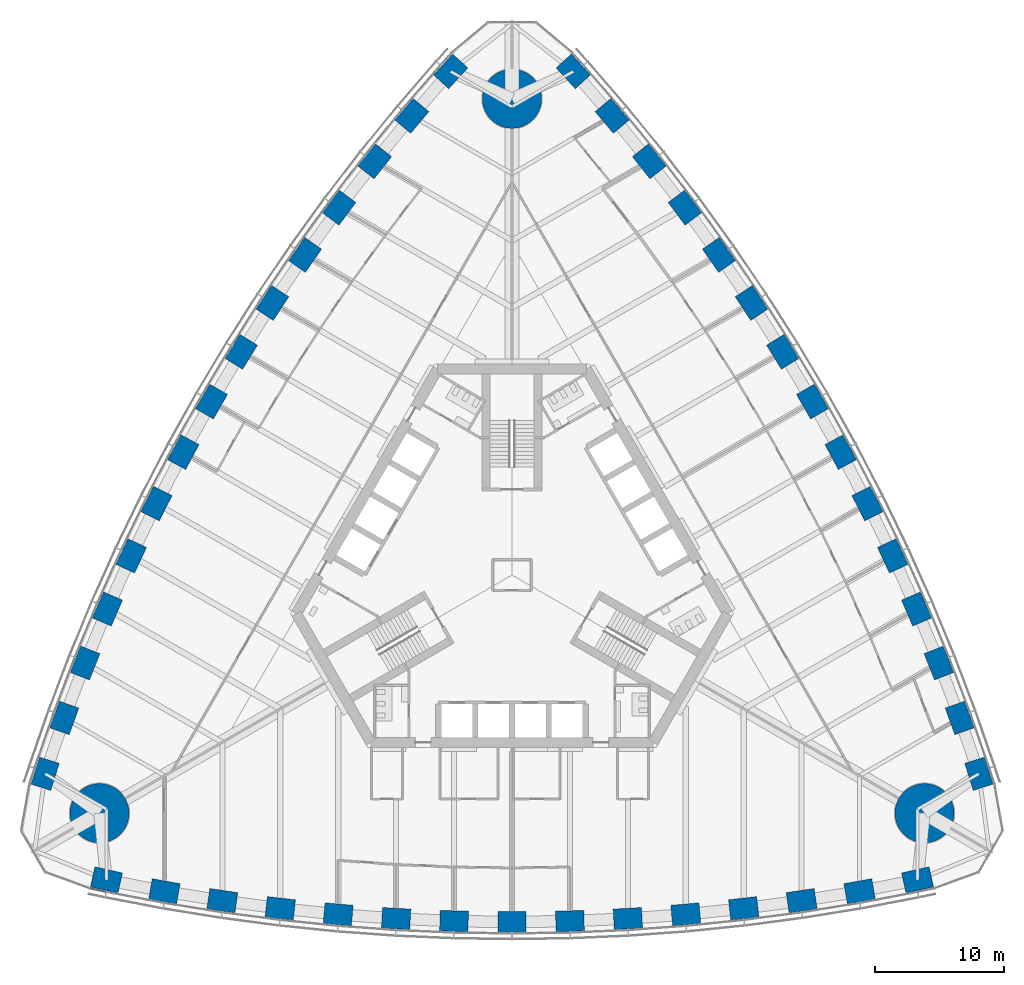
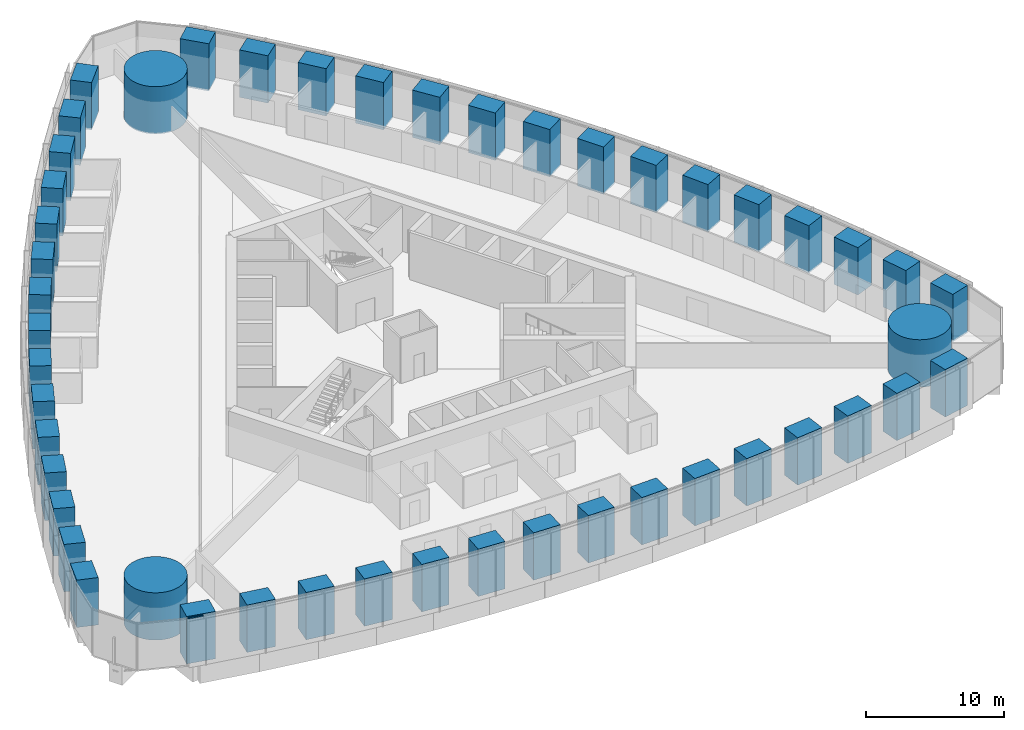
# One storey, part 1 of 18: 48 columns, 1 member, 1 element without a shape of its own.
"""IFC4 building model written with IfcOpenShell, lengths in metres."""

from ifc_helpers import new_model, si_unit, direction, frame, origin, origin_2d, place, context, subcontext, project, spatial, rectangle, circle, extrude, material, material_profile, profile_set, type_object, element, aggregate, save


model = new_model("IFC4")

# Units and contexts
model_context = context("Model", 3, precision=1e-05, world=origin(), true_north=direction((0.0, 1.0)))
body_context = subcontext(model_context, "Body", "Model", "MODEL_VIEW")
ifc_project = project(units=[si_unit("LENGTHUNIT", "METRE"), si_unit("AREAUNIT", "SQUARE_METRE"), si_unit("VOLUMEUNIT", "CUBIC_METRE"), si_unit("PLANEANGLEUNIT", "RADIAN"), si_unit("MASSUNIT", "GRAM", prefix="KILO")], contexts=[model_context])

# Site, building, storey
site_placement = place(None, origin())
site = spatial("IfcSite", under=ifc_project, at=site_placement, CompositionType="ELEMENT")
building_placement = place(site_placement, origin())
building = spatial("IfcBuilding", under=site, at=building_placement, Name="Trefoil Bronze Tower", CompositionType="ELEMENT")
storey_placement = place(building_placement, frame((0.0, 0.0, 75.300048828125)))
storey = spatial("IfcBuildingStorey", under=building, at=storey_placement, Name="L17", CompositionType="ELEMENT", Elevation=75.300048828125)

# Columns
ifc_material_1 = material(Name="Concrete B80", Category="concrete")
ifc_material_profile_1 = material_profile(ifc_material_1, circle(Radius=2.300048828125, at=origin_2d()), Name="RC D4600")
ifc_profile_set_1 = profile_set([ifc_material_profile_1], Name="Concrete B80")
column_type_1 = type_object("IfcColumnType", Name="Mega column RC D4600", PredefinedType="COLUMN", material=ifc_profile_set_1)
for number, where, z_axis, x_axis, name in (
    (1, (32.04296875, -18.5, 0.0), (0.0, 0.0, 1.0), (1.0, 0.0, 0.0), "Mega column K1 L17"),
    (2, (0.0, 37.0, 0.0), (0.0, 0.0, 1.0), (1.0, 0.0, 0.0), "Mega column K2 L17"),
    (3, (-32.04296875, -18.5, 0.0), (0.0, 0.0, 1.0), (1.0, 0.0, 0.0), "Mega column K3 L17"),
):
    element("IfcColumn", number, at=place(storey_placement, frame(where, z_axis=z_axis, x_axis=x_axis)), inside=storey, type_object=column_type_1, Name=name, PredefinedType="COLUMN", context=body_context, shape_type="SweptSolid", body=[
        extrude(circle(Radius=2.300048828125, at=origin_2d()), origin(), (0.0, 0.0, 1.0), 4.199951171875),
    ])
ifc_material_2 = material(Name="Concrete B80", Category="concrete")
ifc_material_profile_2 = material_profile(ifc_material_2, rectangle(XDim=2.199951171875, YDim=1.60009765625, at=origin_2d()), Name="RC 2200x1600")
ifc_profile_set_2 = profile_set([ifc_material_profile_2], Name="Concrete B80")
column_type_2 = type_object("IfcColumnType", Name="Tube column RC 2200x1600", PredefinedType="COLUMN", material=ifc_profile_set_2)
for number, where, z_axis, x_axis, name in (
    (4, (-31.5, -23.684814453125, 0.0), (0.0, 0.0, 1.0), (0.976229647342, -0.216738726697, 0.0), "Tube column F1/-7 L17"),
    (5, (-27.0, -24.56787109375, 0.0), (0.0, 0.0, 1.0), (0.984722470468, -0.174131146426, 0.0), "Tube column F1/-6 L17"),
    (6, (-22.5, -25.29931640625, 0.0), (0.0, 0.0, 1.0), (0.989415676546, -0.145108990094, 0.0), "Tube column F1/-5 L17"),
    (7, (-18.0, -25.895263671875, 0.0), (0.0, 0.0, 1.0), (0.993239048989, -0.116086999973, 0.0), "Tube column F1/-4 L17"),
    (8, (-13.5, -26.35693359375, 0.0), (0.0, 0.0, 1.0), (0.996202620701, -0.087065139456, 0.0), "Tube column F1/-3 L17"),
    (9, (-9.0, -26.68603515625, 0.0), (0.0, 0.0, 1.0), (0.998314062162, -0.058043374207, 0.0), "Tube column F1/-2 L17"),
    (10, (-4.5, -26.883056640625, 0.0), (0.0, 0.0, 1.0), (0.999578782577, -0.029021671584, 0.0), "Tube column F1/-1 L17"),
    (11, (0.0, -26.94873046875, 0.0), (0.0, 0.0, 1.0), (1.0, 0.0, 0.0), "Tube column F1/+0 L17"),
    (12, (4.5, -26.883056640625, 0.0), (0.0, 0.0, 1.0), (0.999578782577, 0.029021671584, 0.0), "Tube column F1/+1 L17"),
    (13, (9.0, -26.68603515625, 0.0), (0.0, 0.0, 1.0), (0.998314062162, 0.058043374207, 0.0), "Tube column F1/+2 L17"),
    (14, (13.5, -26.35693359375, 0.0), (0.0, 0.0, 1.0), (0.996202620701, 0.087065139456, 0.0), "Tube column F1/+3 L17"),
    (15, (18.0, -25.895263671875, 0.0), (0.0, 0.0, 1.0), (0.993239048989, 0.116086999973, 0.0), "Tube column F1/+4 L17"),
    (16, (22.5, -25.29931640625, 0.0), (0.0, 0.0, 1.0), (0.989415676546, 0.145108990094, 0.0), "Tube column F1/+5 L17"),
    (17, (27.0, -24.56787109375, 0.0), (0.0, 0.0, 1.0), (0.984722470468, 0.174131146426, 0.0), "Tube column F1/+6 L17"),
    (18, (31.5, -23.684814453125, 0.0), (0.0, 0.0, 1.0), (0.976229647342, 0.216738726697, 0.0), "Tube column F1/+7 L17"),
    (19, (36.26171875, -15.4375, 0.0), (0.0, 0.0, 1.0), (-0.300413580368, 0.953809037874, 0.0), "Tube column F2/-7 L17"),
    (20, (34.7763671875, -11.0986328125, 0.0), (0.0, 0.0, 1.0), (-0.341559238839, 0.939860248316, 0.0), "Tube column F2/-6 L17"),
    (21, (33.159912109375, -6.8359375, 0.0), (0.0, 0.0, 1.0), (-0.369039766534, 0.929413605838, 0.0), "Tube column F2/-5 L17"),
    (22, (31.42578125, -2.640869140625, 0.0), (0.0, 0.0, 1.0), (-0.396085233469, 0.918213748442, 0.0), "Tube column F2/-4 L17"),
    (23, (29.575927734375, 1.487060546875, 0.0), (0.0, 0.0, 1.0), (-0.422700687798, 0.906269346572, 0.0), "Tube column F2/-3 L17"),
    (24, (27.61083984375, 5.548828125, 0.0), (0.0, 0.0, 1.0), (-0.448889994497, 0.893587025891, 0.0), "Tube column F2/-2 L17"),
    (25, (25.531494140625, 9.54443359375, 0.0), (0.0, 0.0, 1.0), (-0.474655886437, 0.880171454588, 0.0), "Tube column F2/-1 L17"),
    (26, (23.33837890625, 13.474365234375, 0.0), (0.0, 0.0, 1.0), (-0.5, 0.866025403784, 0.0), "Tube column F2/+0 L17"),
    (27, (21.031494140625, 17.338623046875, 0.0), (0.0, 0.0, 1.0), (-0.524922896141, 0.851149783004, 0.0), "Tube column F2/+1 L17"),
    (28, (18.61083984375, 21.13720703125, 0.0), (0.0, 0.0, 1.0), (-0.549424067665, 0.835543651684, 0.0), "Tube column F2/+2 L17"),
    (29, (16.075927734375, 24.869873046875, 0.0), (0.0, 0.0, 1.0), (-0.573501932903, 0.819204207116, 0.0), "Tube column F2/+3 L17"),
    (30, (13.42578125, 28.5361328125, 0.0), (0.0, 0.0, 1.0), (-0.59715381552, 0.802126748469, 0.0), "Tube column F2/+4 L17"),
    (31, (10.659912109375, 32.13525390625, 0.0), (0.0, 0.0, 1.0), (-0.620375910011, 0.784304615744, 0.0), "Tube column F2/+5 L17"),
    (32, (7.7763671875, 35.666748046875, 0.0), (0.0, 0.0, 1.0), (-0.643163231629, 0.765729101889, 0.0), "Tube column F2/+6 L17"),
    (33, (4.76171875, 39.122314453125, 0.0), (0.0, 0.0, 1.0), (-0.675816066975, 0.737070311177, 0.0), "Tube column F2/+7 L17"),
    (34, (-4.76171875, 39.122314453125, 0.0), (0.0, 0.0, 1.0), (-0.675816066975, -0.737070311177, 0.0), "Tube column F3/-7 L17"),
    (35, (-7.7763671875, 35.666748046875, 0.0), (0.0, 0.0, 1.0), (-0.643163231629, -0.765729101889, 0.0), "Tube column F3/-6 L17"),
    (36, (-10.659912109375, 32.13525390625, 0.0), (0.0, 0.0, 1.0), (-0.620375910011, -0.784304615744, 0.0), "Tube column F3/-5 L17"),
    (37, (-13.42578125, 28.5361328125, 0.0), (0.0, 0.0, 1.0), (-0.59715381552, -0.802126748469, 0.0), "Tube column F3/-4 L17"),
    (38, (-16.075927734375, 24.869873046875, 0.0), (0.0, 0.0, 1.0), (-0.573501932903, -0.819204207116, 0.0), "Tube column F3/-3 L17"),
    (39, (-18.61083984375, 21.13720703125, 0.0), (0.0, 0.0, 1.0), (-0.549424067665, -0.835543651684, 0.0), "Tube column F3/-2 L17"),
    (40, (-21.031494140625, 17.338623046875, 0.0), (0.0, 0.0, 1.0), (-0.524922896141, -0.851149783004, 0.0), "Tube column F3/-1 L17"),
    (41, (-23.33837890625, 13.474365234375, 0.0), (0.0, 0.0, 1.0), (-0.5, -0.866025403784, 0.0), "Tube column F3/+0 L17"),
    (42, (-25.531494140625, 9.54443359375, 0.0), (0.0, 0.0, 1.0), (-0.474655886437, -0.880171454588, 0.0), "Tube column F3/+1 L17"),
    (43, (-27.61083984375, 5.548828125, 0.0), (0.0, 0.0, 1.0), (-0.448889994497, -0.893587025891, 0.0), "Tube column F3/+2 L17"),
    (44, (-29.575927734375, 1.487060546875, 0.0), (0.0, 0.0, 1.0), (-0.422700687798, -0.906269346572, 0.0), "Tube column F3/+3 L17"),
    (45, (-31.42578125, -2.640869140625, 0.0), (0.0, 0.0, 1.0), (-0.396085233469, -0.918213748442, 0.0), "Tube column F3/+4 L17"),
    (46, (-33.159912109375, -6.8359375, 0.0), (0.0, 0.0, 1.0), (-0.369039766534, -0.929413605838, 0.0), "Tube column F3/+5 L17"),
    (47, (-34.7763671875, -11.0986328125, 0.0), (0.0, 0.0, 1.0), (-0.341559238839, -0.939860248316, 0.0), "Tube column F3/+6 L17"),
    (48, (-36.26171875, -15.4375, 0.0), (0.0, 0.0, 1.0), (-0.300413580368, -0.953809037874, 0.0), "Tube column F3/+7 L17"),
):
    element("IfcColumn", number, at=place(storey_placement, frame(where, z_axis=z_axis, x_axis=x_axis)), inside=storey, type_object=column_type_2, Name=name, PredefinedType="COLUMN", context=body_context, shape_type="SweptSolid", body=[
        extrude(rectangle(XDim=2.199951171875, YDim=1.60009765625, at=origin_2d()), origin(), (0.0, 0.0, 1.0), 4.199951171875),
    ])

# Curtain wall, member
ifc_material_3 = material(Name="Tinted solar-control glass", Category="glass")
curtain_wall_type = type_object("IfcCurtainWallType", Name="Bronze office curtain wall", PredefinedType="USERDEFINED", material=ifc_material_3)
curtain_wall_placement = place(storey_placement, origin())
curtain_wall = element("IfcCurtainWall", 49, at=curtain_wall_placement, inside=storey, type_object=curtain_wall_type, Name="CW-A L17 F1", ObjectType="CURTAIN WALL", PredefinedType="USERDEFINED")
ifc_material_4 = material(Name="Bronze-finish aluminium", Category="aluminium")
ifc_material_profile_3 = material_profile(ifc_material_4, rectangle(XDim=0.1201171875, YDim=0.10009765625, at=origin_2d()), Name="CW-A transom")
ifc_profile_set_3 = profile_set([ifc_material_profile_3], Name="Bronze-finish aluminium")
member_type = type_object("IfcMemberType", Name="Bronze office curtain wall transom", PredefinedType="USERDEFINED", material=ifc_profile_set_3)
member_placement = place(storey_placement, frame((-32.743896484375, -24.354736328125, 4.1298828125), z_axis=(0.978266371807, -0.207352129942, 0.0), x_axis=(0.207352129942, 0.978266371807, 0.0)))
member = element("IfcMember", 50, at=member_placement, type_object=member_type, Name="CW-A L17 F1 transom 1", ObjectType="TRANSOM", PredefinedType="USERDEFINED", context=body_context, shape_type="SweptSolid", body=[
    extrude(rectangle(XDim=0.1201171875, YDim=0.10009765625, at=origin_2d()), origin(), (0.0, 0.0, 1.0), 1.21044921875),
])
aggregate(curtain_wall, [member])

save(model, "model.ifc")
